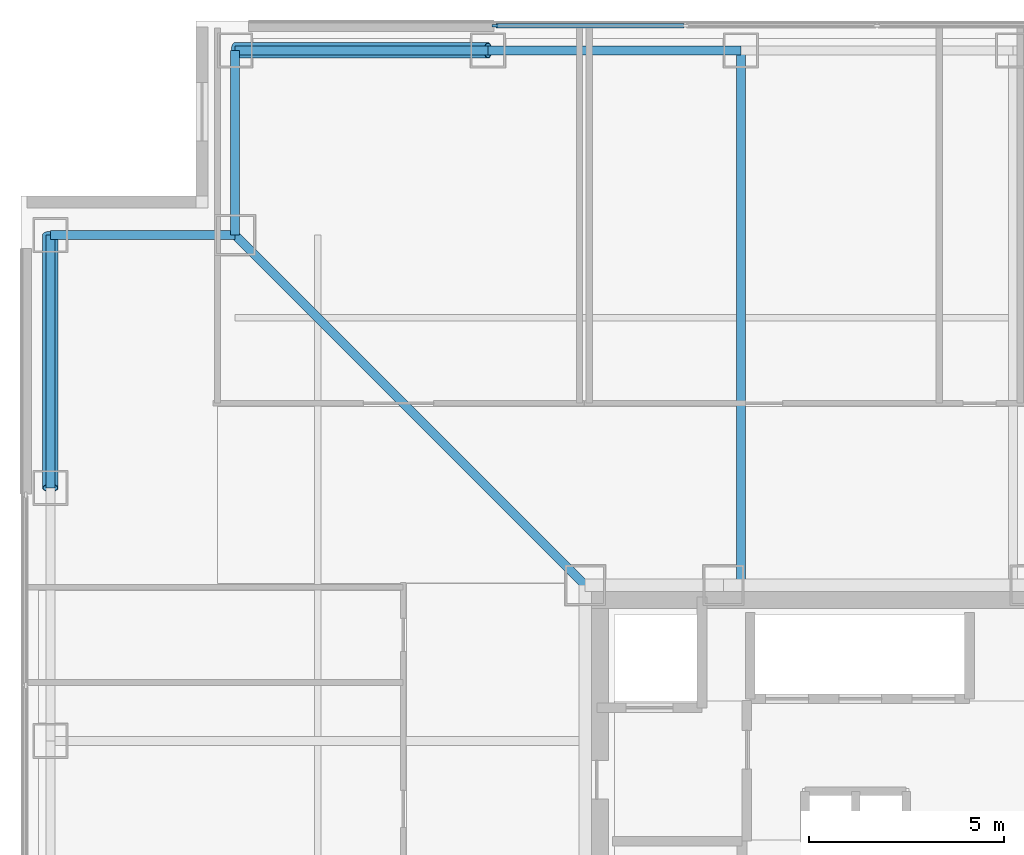
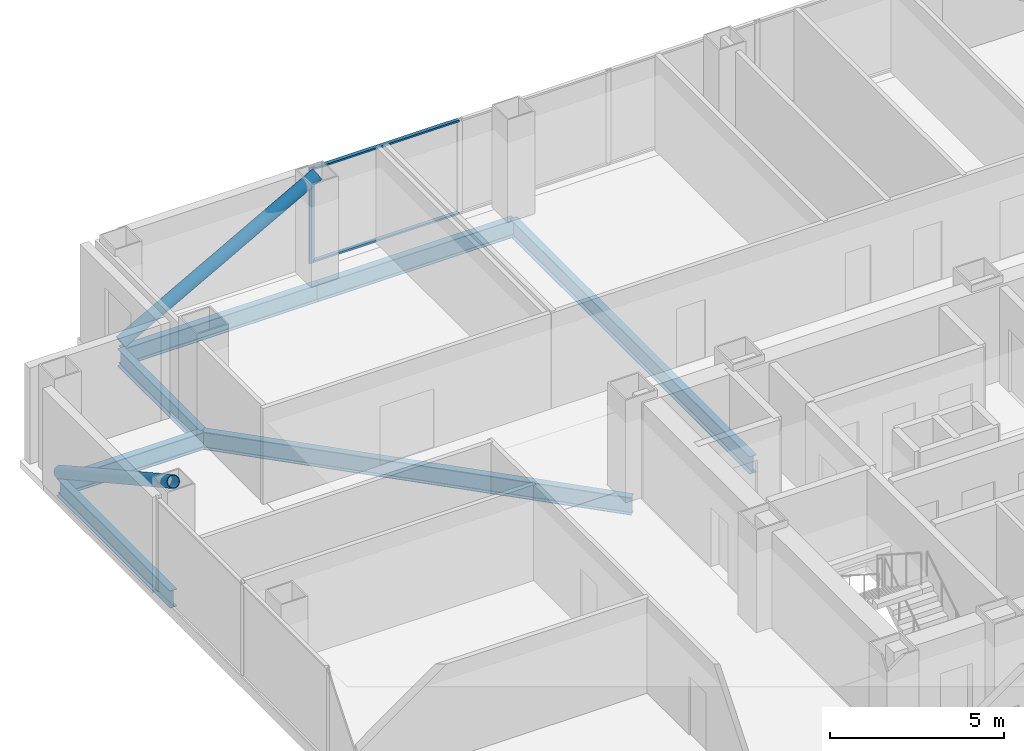
# One storey, part 8 of 16: 7 beams, 5 members, 1 element without a shape of its own.
"""IFC4 building model written with IfcOpenShell, lengths in metres."""

from ifc_helpers import new_model, si_unit, direction, frame, origin, origin_2d, place, context, subcontext, project, spatial, rectangle, hollow_circle, i_section, extrude, material, layer, layer_set, material_profile, profile_set, type_object, element, aggregate, save


model = new_model("IFC4")

# Units and contexts
model_context = context("Model", 3, precision=1e-05, world=origin(), true_north=direction((0.0, 1.0)))
body_context = subcontext(model_context, "Body", "Model", "MODEL_VIEW")
ifc_project = project(units=[si_unit("LENGTHUNIT", "METRE"), si_unit("AREAUNIT", "SQUARE_METRE"), si_unit("VOLUMEUNIT", "CUBIC_METRE"), si_unit("PLANEANGLEUNIT", "RADIAN"), si_unit("MASSUNIT", "GRAM", prefix="KILO")], contexts=[model_context])

# Site, building, storey
site_placement = place(None, origin())
site = spatial("IfcSite", under=ifc_project, at=site_placement, CompositionType="ELEMENT")
building_placement = place(site_placement, origin())
building = spatial("IfcBuilding", under=site, at=building_placement, Name="Trevonay Congress Spire", CompositionType="ELEMENT")
storey_placement = place(building_placement, frame((0.0, 0.0, 101.199951171875)))
storey = spatial("IfcBuildingStorey", under=building, at=storey_placement, Name="L25", CompositionType="ELEMENT", Elevation=101.199951171875)

# Beams
ifc_material_1 = material(Name="Steel ASTM A572 Grade 50", Category="steel")
ifc_material_profile_1 = material_profile(ifc_material_1, i_section(OverallWidth=0.22998046875, OverallDepth=0.616943359375, WebThickness=0.01318359375, FlangeThickness=0.022216796875, FilletRadius=0.01611328125, at=origin_2d()), Name="W610x140")
ifc_profile_set_1 = profile_set([ifc_material_profile_1], Name="Steel ASTM A572 Grade 50")
beam_type_1 = type_object("IfcBeamType", Name="BM-GIRD-W610X140", PredefinedType="BEAM", material=ifc_profile_set_1)
beam_1_placement = place(storey_placement, frame((-7.5, 7.5, -0.54833984375), z_axis=(-0.707106781187, 0.707106781187, 0.0), x_axis=(-0.707106781187, -0.707106781187, 0.0)))
element("IfcBeam", 1, at=beam_1_placement, inside=storey, type_object=beam_type_1, Name="L25 structural beam BM-L25-CDNW", PredefinedType="BEAM", context=body_context, shape_type="SweptSolid", body=[
    extrude(i_section(OverallWidth=0.22998046875, OverallDepth=0.616943359375, WebThickness=0.01318359375, FlangeThickness=0.022216796875, FilletRadius=0.01611328125, at=origin_2d()), origin(), (0.0, 0.0, 1.0), 12.72802734375),
])
beam_2_placement = place(storey_placement, frame((-3.5, 7.5, -0.54833984375), z_axis=(0.0, 1.0, 0.0), x_axis=(-1.0, 0.0, 0.0)))
element("IfcBeam", 2, at=beam_2_placement, inside=storey, type_object=beam_type_1, Name="L25 structural beam BM-L25-GN-M", PredefinedType="BEAM", context=body_context, shape_type="SweptSolid", body=[
    extrude(i_section(OverallWidth=0.22998046875, OverallDepth=0.616943359375, WebThickness=0.01318359375, FlangeThickness=0.022216796875, FilletRadius=0.01611328125, at=origin_2d()), origin(), (0.0, 0.0, 1.0), 13.75),
])
ifc_material_profile_2 = material_profile(ifc_material_1, i_section(OverallWidth=0.22802734375, OverallDepth=0.60791015625, WebThickness=0.01123046875, FlangeThickness=0.017333984375, FilletRadius=0.01611328125, at=origin_2d()), Name="W610x113")
ifc_profile_set_2 = profile_set([ifc_material_profile_2], Name="Steel ASTM A572 Grade 50")
beam_type_2 = type_object("IfcBeamType", Name="BM-RING-W610X113", PredefinedType="BEAM", material=ifc_profile_set_2)
for number, where, z_axis, x_axis, name in (
    (3, (-16.5, 21.25, -0.5439453125), (1.0, 0.0, 0.0), (0.0, 1.0, 0.0), "L25 structural beam BM-L25-PN1"),
    (4, (-10.0, 21.25, -0.5439453125), (1.0, 0.0, 0.0), (0.0, 1.0, 0.0), "L25 structural beam BM-L25-PN2"),
    (5, (-21.25, 10.0, -0.5439453125), (0.0, 1.0, 0.0), (-1.0, 0.0, 0.0), "L25 structural beam BM-L25-PW5"),
):
    element("IfcBeam", number, at=place(storey_placement, frame(where, z_axis=z_axis, x_axis=x_axis)), inside=storey, type_object=beam_type_2, Name=name, PredefinedType="BEAM", context=body_context, shape_type="SweptSolid", body=[
        extrude(i_section(OverallWidth=0.22802734375, OverallDepth=0.60791015625, WebThickness=0.01123046875, FlangeThickness=0.017333984375, FilletRadius=0.01611328125, at=origin_2d()), origin(), (0.0, 0.0, 1.0), 6.5),
    ])
for number, where, z_axis, x_axis, name in (
    (6, (-16.5, 21.25, -0.5439453125), (0.0, -1.0, 0.0), (1.0, 0.0, 0.0), "L25 structural beam BM-L25-N1NW"),
    (7, (-21.25, 16.5, -0.5439453125), (1.0, 0.0, 0.0), (0.0, 1.0, 0.0), "L25 structural beam BM-L25-N2NW"),
):
    element("IfcBeam", number, at=place(storey_placement, frame(where, z_axis=z_axis, x_axis=x_axis)), inside=storey, type_object=beam_type_2, Name=name, PredefinedType="BEAM", context=body_context, shape_type="SweptSolid", body=[
        extrude(i_section(OverallWidth=0.22802734375, OverallDepth=0.60791015625, WebThickness=0.01123046875, FlangeThickness=0.017333984375, FilletRadius=0.01611328125, at=origin_2d()), origin(), (0.0, 0.0, 1.0), 4.75),
    ])

# Curtain wall, members
ifc_material_2 = material(Name="Pale Anodised Aluminium EN AW-6063-T6", Category="aluminium")
ifc_layer = layer(ifc_material_2, 0.175048828125, Name="Pale Anodised Aluminium EN AW-6063-T6")
ifc_layer_set = layer_set([ifc_layer], Name="Pale Anodised Aluminium EN AW-6063-T6")
curtain_wall_type = type_object("IfcCurtainWallType", Name="CW-SYS03-CONGRESS-PALE-METAL", PredefinedType="NOTDEFINED", material=ifc_layer_set)
curtain_wall_placement = place(storey_placement, origin())
curtain_wall = element("IfcCurtainWall", 8, at=curtain_wall_placement, inside=storey, type_object=curtain_wall_type, Name="L25 N unitised curtain wall", PredefinedType="NOTDEFINED")
ifc_material_profile_3 = material_profile(ifc_material_2, rectangle(XDim=0.06005859375, YDim=0.159912109375, at=origin_2d()), Name="CW-MULLION-160-ALUMINIUM")
ifc_profile_set_3 = profile_set([ifc_material_profile_3], Name="Pale Anodised Aluminium EN AW-6063-T6")
member_type_1 = type_object("IfcMemberType", Name="CW-MULLION-160-ALUMINIUM", PredefinedType="MULLION", material=ifc_profile_set_3)
member_1_placement = place(storey_placement, frame((-9.820068359375, 21.8798828125, 0.0), z_axis=(0.0, 0.0, 1.0), x_axis=(0.0, 1.0, 0.0)))
member_1 = element("IfcMember", 9, at=member_1_placement, type_object=member_type_1, Name="CW03 mullion 1", PredefinedType="MULLION", context=body_context, shape_type="SweptSolid", body=[
    extrude(rectangle(XDim=0.06005859375, YDim=0.159912109375, at=origin_2d()), origin(), (0.0, 0.0, 1.0), 3.360107421875),
])
ifc_material_profile_4 = material_profile(ifc_material_2, rectangle(XDim=0.1201171875, YDim=0.06005859375, at=origin_2d()), Name="CW-TRANSOM-120-ALUMINIUM")
ifc_profile_set_4 = profile_set([ifc_material_profile_4], Name="Pale Anodised Aluminium EN AW-6063-T6")
member_type_2 = type_object("IfcMemberType", Name="CW-TRANSOM-120-ALUMINIUM", PredefinedType="USERDEFINED", material=ifc_profile_set_4)
member_2_placement = place(storey_placement, frame((-9.7900390625, 21.8798828125, 0.06005859375), z_axis=(1.0, 0.0, 0.0), x_axis=(0.0, 1.0, 0.0)))
member_2 = element("IfcMember", 10, at=member_2_placement, type_object=member_type_2, Name="CW03 transom 1.1", ObjectType="TRANSOM", PredefinedType="USERDEFINED", context=body_context, shape_type="SweptSolid", body=[
    extrude(rectangle(XDim=0.1201171875, YDim=0.06005859375, at=origin_2d()), origin(), (0.0, 0.0, 1.0), 4.8349609375),
])
member_3_placement = place(storey_placement, frame((-9.7900390625, 21.8798828125, 3.300048828125), z_axis=(1.0, 0.0, 0.0), x_axis=(0.0, 1.0, 0.0)))
member_3 = element("IfcMember", 11, at=member_3_placement, type_object=member_type_2, Name="CW03 transom 1.2", ObjectType="TRANSOM", PredefinedType="USERDEFINED", context=body_context, shape_type="SweptSolid", body=[
    extrude(rectangle(XDim=0.1201171875, YDim=0.06005859375, at=origin_2d()), origin(), (0.0, 0.0, 1.0), 4.8349609375),
])
aggregate(curtain_wall, [member_1, member_2, member_3])

# Members
ifc_material_3 = material(Name="Steel ASTM A500 Grade C", Category="steel")
ifc_material_profile_5 = material_profile(ifc_material_3, hollow_circle(Radius=0.203125, WallThickness=0.02001953125, at=origin_2d()), Name="CHS 406.4x20")
ifc_profile_set_5 = profile_set([ifc_material_profile_5], Name="Steel ASTM A500 Grade C")
member_type_3 = type_object("IfcMemberType", Name="MBR-TUBE-CHS406", PredefinedType="BRACE", material=ifc_profile_set_5)
for number, where, z_axis, x_axis, name in (
    (12, (-16.5, 21.25, -0.050048828125), (0.874785785626, 0.0, 0.484509885623), (0.0, 1.0, 0.0), "L25 perimeter braced-tube diagonal N0"),
    (13, (-21.25, 16.5, -0.050048828125), (0.0, -0.874785785626, 0.484509885623), (1.0, 0.0, 0.0), "L25 perimeter braced-tube diagonal W4"),
):
    element("IfcMember", number, at=place(storey_placement, frame(where, z_axis=z_axis, x_axis=x_axis)), inside=storey, type_object=member_type_3, Name=name, PredefinedType="BRACE", context=body_context, shape_type="SweptSolid", body=[
        extrude(hollow_circle(Radius=0.203125, WallThickness=0.02001953125, at=origin_2d()), origin(), (0.0, 0.0, 1.0), 7.430419921875),
    ])

save(model, "model.ifc")
